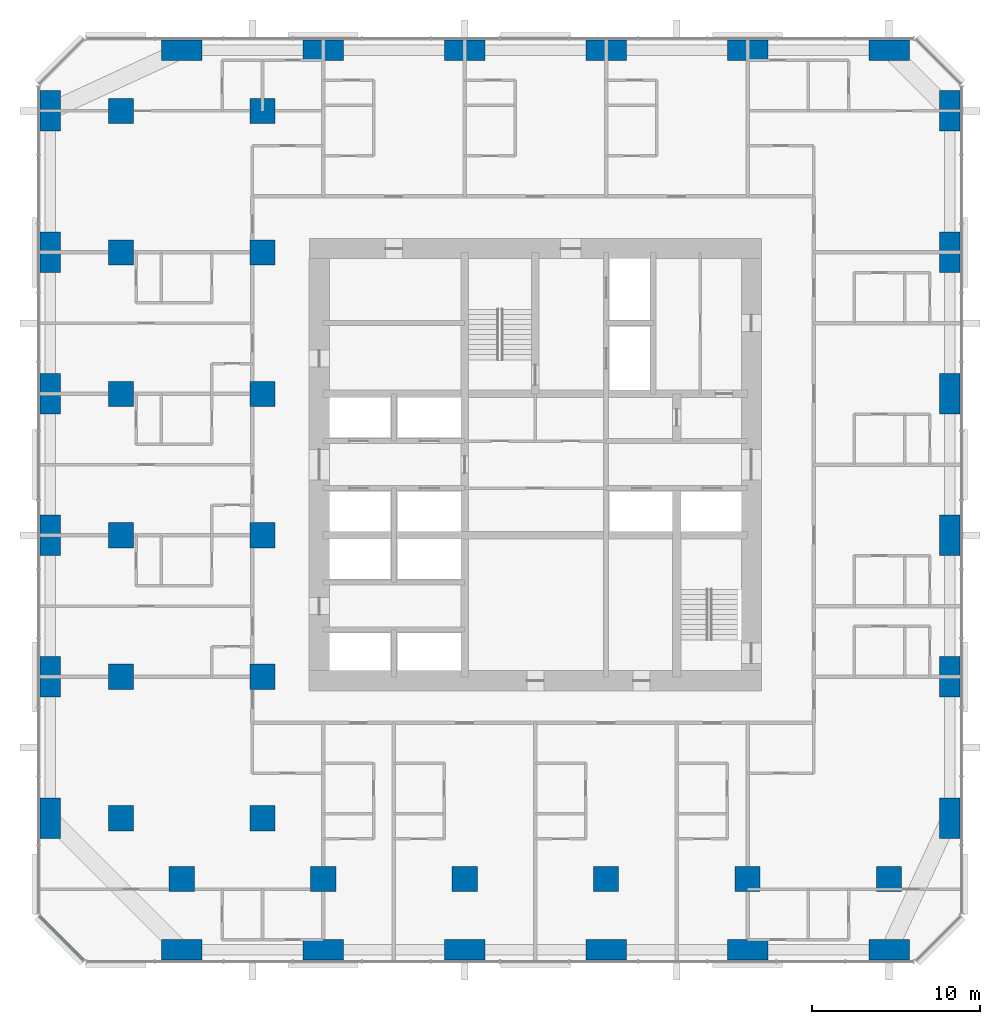
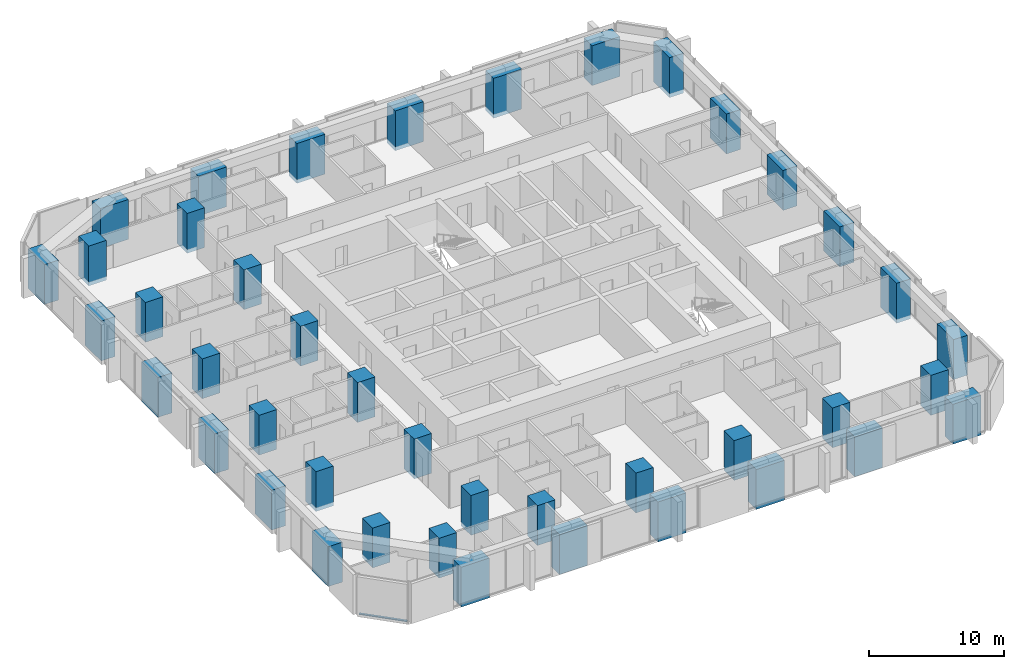
# One storey, part 1 of 14: 42 columns, 1 member, 1 element without a shape of its own.
"""IFC4 building model written with IfcOpenShell, lengths in metres."""

import ifcopenshell
import ifcopenshell.guid

model = None  # the IFC model being written
_history = None  # IfcOwnerHistory: only IFC2X3 demands one
_inside = {}  # id of a spatial element -> (the spatial element, [elements in it])
_under = {}  # id of a project, library or spatial element -> (it, [spatial elements below it])
_declared = {}  # id of a project -> (the project, [libraries it declares])
_typed = {}  # id of a type object -> (the type object, [elements of that type])
_made_of = {}  # id of a material, layer set ... -> (it, [elements and type objects made of it])


def new_model(schema):
    """Start an empty IFC model of exactly this schema.

    Asked for "IFC4X3", IfcOpenShell would pick the latest addendum, in which some entities
    have other attributes; the version numbers below select the first issue.
    IFC2X3 requires an IfcOwnerHistory on every rooted entity: one is made here for all.
    """
    global model, _history
    if schema == "IFC4X3":
        model = ifcopenshell.file(schema_version=(4, 3, 0, 0))
    else:
        model = ifcopenshell.file(schema=schema)
    _inside.clear()
    _under.clear()
    _declared.clear()
    _typed.clear()
    _made_of.clear()
    _history = None
    if model.schema == "IFC2X3":
        org = make("IfcOrganization", Name="unknown")
        user = make(
            "IfcPersonAndOrganization",
            ThePerson=make("IfcPerson", FamilyName="unknown"),
            TheOrganization=org,
        )
        app = make(
            "IfcApplication",
            ApplicationDeveloper=org,
            Version="unknown",
            ApplicationFullName="unknown",
            ApplicationIdentifier="unknown",
        )
        _history = make(
            "IfcOwnerHistory",
            OwningUser=user,
            OwningApplication=app,
            ChangeAction="ADDED",
            CreationDate=0,
        )
    return model


def make(cls, **values):
    """One entity of the class cls with the attributes given. An attribute that is None is left unset."""
    return model.create_entity(
        cls, **{name: value for name, value in values.items() if value is not None}
    )


def rooted(cls, **values):
    """An entity with a GlobalId (a new one), such as an element, a storey or a relation."""
    return make(cls, GlobalId=ifcopenshell.guid.new(), OwnerHistory=_history, **values)


def si_unit(unit_type, name, prefix=None):
    """IfcSIUnit, for example si_unit("LENGTHUNIT", "METRE", prefix="MILLI")."""
    return make("IfcSIUnit", UnitType=unit_type, Prefix=prefix, Name=name)


def assignment(units):
    """IfcUnitAssignment: the units of a project."""
    return None if units is None else make("IfcUnitAssignment", Units=units)


def point(xyz):
    """IfcCartesianPoint."""
    return None if xyz is None else make("IfcCartesianPoint", Coordinates=xyz)


def direction(xyz):
    """IfcDirection."""
    return None if xyz is None else make("IfcDirection", DirectionRatios=xyz)


def frame(location, z_axis=None, x_axis=None):
    """IfcAxis2Placement3D, a coordinate frame: its origin and axes. An axis left out is left unset."""
    return make(
        "IfcAxis2Placement3D",
        Location=point(location),
        Axis=direction(z_axis),
        RefDirection=direction(x_axis),
    )


def frame_2d(location, x_axis=None):
    """IfcAxis2Placement2D, a coordinate frame in the plane: its origin and x axis."""
    return make(
        "IfcAxis2Placement2D", Location=point(location), RefDirection=direction(x_axis)
    )


def origin():
    """The frame at (0, 0, 0) with its axes left unset."""
    return frame((0.0, 0.0, 0.0))


def origin_2d():
    """The frame at (0, 0) in the plane with its x axis left unset."""
    return frame_2d((0.0, 0.0))


def place(relative_to, where):
    """IfcLocalPlacement: puts the frame where relative to a parent placement (None: the world)."""
    return make(
        "IfcLocalPlacement", PlacementRelTo=relative_to, RelativePlacement=where
    )


def context(
    kind, dimensions, precision=None, world=None, true_north=None, identifier=None
):
    """IfcGeometricRepresentationContext, for example the 3D "Model" context."""
    return make(
        "IfcGeometricRepresentationContext",
        ContextIdentifier=identifier,
        ContextType=kind,
        CoordinateSpaceDimension=dimensions,
        Precision=precision,
        WorldCoordinateSystem=world,
        TrueNorth=true_north,
    )


def subcontext(parent, identifier, kind, view, scale=None):
    """IfcGeometricRepresentationSubContext, for example "Body" below "Model"."""
    return make(
        "IfcGeometricRepresentationSubContext",
        ContextIdentifier=identifier,
        ContextType=kind,
        ParentContext=parent,
        TargetScale=scale,
        TargetView=view,
    )


def project(units=None, contexts=None):
    """IfcProject with its units and contexts."""
    return rooted(
        "IfcProject",
        Name="project",
        RepresentationContexts=contexts,
        UnitsInContext=assignment(units),
    )


def spatial(cls, under=None, at=None, **own):
    """A site, building, storey or space (cls), placed at a placement, below another one or the project."""
    s = rooted(cls, ObjectPlacement=at, **own)
    if under is not None:
        _under.setdefault(under.id(), (under, []))[1].append(s)
    return s


def profile(cls, at=None, kind="AREA", **sizes):
    """A parametric profile (cls). Its sizes go by their IFC names, for example OverallWidth=200.0."""
    return make(cls, ProfileType=kind, Position=at, **sizes)


def rectangle(**sizes):
    """IfcRectangleProfileDef."""
    return profile("IfcRectangleProfileDef", **sizes)


def extrude(swept, where, along, depth):
    """IfcExtrudedAreaSolid: the profile swept, set in the frame where, extruded along a direction by depth."""
    return make(
        "IfcExtrudedAreaSolid",
        SweptArea=swept,
        Position=where,
        ExtrudedDirection=direction(along),
        Depth=depth,
    )


def shape(context_of_items, identifier, shape_type, items):
    """IfcShapeRepresentation: the items that make up one representation, for example the "Body"."""
    return make(
        "IfcShapeRepresentation",
        ContextOfItems=context_of_items,
        RepresentationIdentifier=identifier,
        RepresentationType=shape_type,
        Items=items,
    )


def material(Name=None, Category=None):
    """IfcMaterial."""
    return make("IfcMaterial", Name=Name, Category=Category)


def material_profile(
    of_material, cross_section, Name=None, Category=None, Priority=None
):
    """IfcMaterialProfile: a cross section and its material."""
    return make(
        "IfcMaterialProfile",
        Name=Name,
        Material=of_material,
        Profile=cross_section,
        Priority=Priority,
        Category=Category,
    )


def profile_set(profiles, Name=None, composite=None):
    """IfcMaterialProfileSet."""
    return make(
        "IfcMaterialProfileSet",
        Name=Name,
        MaterialProfiles=profiles,
        CompositeProfile=composite,
    )


def made_of(thing, what):
    """Note that an element or type object is made of a material, layer set ...; save() writes the relation."""
    if what is not None:
        _made_of.setdefault(what.id(), (what, []))[1].append(thing)
    return thing


def type_object(cls, material=None, **own):
    """A type object (cls), such as IfcWallType, which elements share."""
    return made_of(rooted(cls, **own), material)


def element(
    cls,
    number,
    at=None,
    inside=None,
    cuts=None,
    type_object=None,
    material=None,
    context=None,
    identifier="Body",
    shape_type=None,
    held_by="IfcProductDefinitionShape",
    body=None,
    shapes=None,
    **own,
):
    """One element of the class cls, such as IfcWall. Its Tag is "e" and its number.

    at: its placement. inside: the storey or other place that contains it. cuts: it is an
    opening in that element (IfcRelVoidsElement). A single representation is given by context,
    identifier, shape_type and body (its items); several are given by shapes. held_by: the class
    of the entity that holds the representations. save() writes the other relations.
    """
    e = rooted(cls, Tag="e%d" % number, ObjectPlacement=at, **own)
    if body is not None:
        shapes = [shape(context, identifier, shape_type, body)]
    if shapes is not None:
        e.Representation = make(held_by, Representations=shapes)
    if inside is not None:
        _inside.setdefault(inside.id(), (inside, []))[1].append(e)
    if cuts is not None:
        rooted(
            "IfcRelVoidsElement", RelatingBuildingElement=cuts, RelatedOpeningElement=e
        )
    if type_object is not None:
        _typed.setdefault(type_object.id(), (type_object, []))[1].append(e)
    return made_of(e, material)


def aggregate(whole, parts):
    """IfcRelAggregates: a whole, such as a stair, and the parts it consists of."""
    return rooted("IfcRelAggregates", RelatingObject=whole, RelatedObjects=parts)


def save(model, path):
    """Write the relations noted so far, then the file.

    IfcRelAggregates (storeys below a building ...), IfcRelContainedInSpatialStructure (elements
    in a storey), IfcRelDefinesByType, IfcRelAssociatesMaterial and IfcRelDeclares: one each for
    every whole, place, type object, material and project.
    """
    for whole, parts in _under.values():
        aggregate(whole, parts)
    for where, things in _inside.values():
        rooted(
            "IfcRelContainedInSpatialStructure",
            RelatedElements=things,
            RelatingStructure=where,
        )
    for kind, things in _typed.values():
        rooted("IfcRelDefinesByType", RelatedObjects=things, RelatingType=kind)
    for what, things in _made_of.values():
        rooted("IfcRelAssociatesMaterial", RelatedObjects=things, RelatingMaterial=what)
    for by, libraries in _declared.values():
        rooted("IfcRelDeclares", RelatingContext=by, RelatedDefinitions=libraries)
    model.write(path)


model = new_model("IFC4")

# Units and contexts
model_context = context("Model", 3, precision=1e-05, world=origin(), true_north=direction((0.0, 1.0)))
body_context = subcontext(model_context, "Body", "Model", "MODEL_VIEW")
ifc_project = project(units=[si_unit("LENGTHUNIT", "METRE"), si_unit("AREAUNIT", "SQUARE_METRE"), si_unit("VOLUMEUNIT", "CUBIC_METRE"), si_unit("PLANEANGLEUNIT", "RADIAN"), si_unit("MASSUNIT", "GRAM", prefix="KILO")], contexts=[model_context])

# Site, building, storey
site_placement = place(None, origin())
site = spatial("IfcSite", under=ifc_project, at=site_placement, CompositionType="ELEMENT")
building_placement = place(site_placement, origin())
building = spatial("IfcBuilding", under=site, at=building_placement, Name="Dunama Terrace Hotel", CompositionType="ELEMENT")
storey_placement = place(building_placement, frame((0.0, 0.0, 104.39990234375)))
storey = spatial("IfcBuildingStorey", under=building, at=storey_placement, Name="L26", CompositionType="ELEMENT", Elevation=104.39990234375)

# Columns
ifc_material_1 = material(Name="Concrete C60/75", Category="concrete")
ifc_material_profile_1 = material_profile(ifc_material_1, rectangle(XDim=1.199951171875, YDim=2.39990234375, at=origin_2d()), Name="RC 1200x2400")
ifc_profile_set_1 = profile_set([ifc_material_profile_1], Name="Concrete C60/75")
column_type_1 = type_object("IfcColumnType", Name="Column RC 1200x2400", PredefinedType="COLUMN", material=ifc_profile_set_1)
for number, where, z_axis, x_axis, name in (
    (1, (0.60009765625, 8.39990234375, -0.349853515625), (0.0, 0.0, 1.0), (1.0, 0.0, 0.0), "Column L26 +0.6/+8.4"),
    (2, (0.60009765625, 16.800048828125, -0.349853515625), (0.0, 0.0, 1.0), (1.0, 0.0, 0.0), "Column L26 +0.6/+16.8"),
    (3, (0.60009765625, 25.199951171875, -0.349853515625), (0.0, 0.0, 1.0), (1.0, 0.0, 0.0), "Column L26 +0.6/+25.2"),
    (4, (0.60009765625, 33.60009765625, -0.349853515625), (0.0, 0.0, 1.0), (1.0, 0.0, 0.0), "Column L26 +0.6/+33.6"),
    (5, (0.60009765625, 42.0, -0.349853515625), (0.0, 0.0, 1.0), (1.0, 0.0, 0.0), "Column L26 +0.6/+42.0"),
    (6, (0.60009765625, 50.39990234375, -0.349853515625), (0.0, 0.0, 1.0), (1.0, 0.0, 0.0), "Column L26 +0.6/+50.4"),
    (7, (54.0, 8.39990234375, -0.349853515625), (0.0, 0.0, 1.0), (1.0, 0.0, 0.0), "Column L26 +54.0/+8.4"),
    (8, (54.0, 16.800048828125, -0.349853515625), (0.0, 0.0, 1.0), (1.0, 0.0, 0.0), "Column L26 +54.0/+16.8"),
    (9, (54.0, 25.199951171875, -0.349853515625), (0.0, 0.0, 1.0), (1.0, 0.0, 0.0), "Column L26 +54.0/+25.2"),
    (10, (54.0, 33.60009765625, -0.349853515625), (0.0, 0.0, 1.0), (1.0, 0.0, 0.0), "Column L26 +54.0/+33.6"),
    (11, (54.0, 42.0, -0.349853515625), (0.0, 0.0, 1.0), (1.0, 0.0, 0.0), "Column L26 +54.0/+42.0"),
    (12, (54.0, 50.39990234375, -0.349853515625), (0.0, 0.0, 1.0), (1.0, 0.0, 0.0), "Column L26 +54.0/+50.4"),
):
    element("IfcColumn", number, at=place(storey_placement, frame(where, z_axis=z_axis, x_axis=x_axis)), inside=storey, type_object=column_type_1, Name=name, PredefinedType="COLUMN", context=body_context, shape_type="SweptSolid", body=[
        extrude(rectangle(XDim=1.199951171875, YDim=2.39990234375, at=origin_2d()), origin(), (0.0, 0.0, 1.0), 3.599853515625),
    ])
ifc_material_2 = material(Name="Concrete C60/75", Category="concrete")
ifc_material_profile_2 = material_profile(ifc_material_2, rectangle(XDim=1.5, YDim=1.5, at=origin_2d()), Name="RC 1500x1500")
ifc_profile_set_2 = profile_set([ifc_material_profile_2], Name="Concrete C60/75")
column_type_2 = type_object("IfcColumnType", Name="Column RC 1500x1500", PredefinedType="COLUMN", material=ifc_profile_set_2)
for number, where, z_axis, x_axis, name in (
    (13, (4.800048828125, 8.39990234375, -0.349853515625), (0.0, 0.0, 1.0), (1.0, 0.0, 0.0), "Column L26 +4.8/+8.4"),
    (14, (4.800048828125, 16.800048828125, -0.349853515625), (0.0, 0.0, 1.0), (1.0, 0.0, 0.0), "Column L26 +4.8/+16.8"),
    (15, (4.800048828125, 25.199951171875, -0.349853515625), (0.0, 0.0, 1.0), (1.0, 0.0, 0.0), "Column L26 +4.8/+25.2"),
    (16, (4.800048828125, 33.60009765625, -0.349853515625), (0.0, 0.0, 1.0), (1.0, 0.0, 0.0), "Column L26 +4.8/+33.6"),
    (17, (4.800048828125, 42.0, -0.349853515625), (0.0, 0.0, 1.0), (1.0, 0.0, 0.0), "Column L26 +4.8/+42.0"),
    (18, (4.800048828125, 50.39990234375, -0.349853515625), (0.0, 0.0, 1.0), (1.0, 0.0, 0.0), "Column L26 +4.8/+50.4"),
    (19, (8.39990234375, 4.800048828125, -0.349853515625), (0.0, 0.0, 1.0), (1.0, 0.0, 0.0), "Column L26 +8.4/+4.8"),
    (20, (13.199951171875, 8.39990234375, -0.349853515625), (0.0, 0.0, 1.0), (1.0, 0.0, 0.0), "Column L26 +13.2/+8.4"),
    (21, (13.199951171875, 16.800048828125, -0.349853515625), (0.0, 0.0, 1.0), (1.0, 0.0, 0.0), "Column L26 +13.2/+16.8"),
    (22, (13.199951171875, 25.199951171875, -0.349853515625), (0.0, 0.0, 1.0), (1.0, 0.0, 0.0), "Column L26 +13.2/+25.2"),
    (23, (13.199951171875, 33.60009765625, -0.349853515625), (0.0, 0.0, 1.0), (1.0, 0.0, 0.0), "Column L26 +13.2/+33.6"),
    (24, (13.199951171875, 42.0, -0.349853515625), (0.0, 0.0, 1.0), (1.0, 0.0, 0.0), "Column L26 +13.2/+42.0"),
    (25, (13.199951171875, 50.39990234375, -0.349853515625), (0.0, 0.0, 1.0), (1.0, 0.0, 0.0), "Column L26 +13.2/+50.4"),
    (26, (16.800048828125, 4.800048828125, -0.349853515625), (0.0, 0.0, 1.0), (1.0, 0.0, 0.0), "Column L26 +16.8/+4.8"),
    (27, (25.199951171875, 4.800048828125, -0.349853515625), (0.0, 0.0, 1.0), (1.0, 0.0, 0.0), "Column L26 +25.2/+4.8"),
    (28, (33.60009765625, 4.800048828125, -0.349853515625), (0.0, 0.0, 1.0), (1.0, 0.0, 0.0), "Column L26 +33.6/+4.8"),
    (29, (42.0, 4.800048828125, -0.349853515625), (0.0, 0.0, 1.0), (1.0, 0.0, 0.0), "Column L26 +42.0/+4.8"),
    (30, (50.39990234375, 4.800048828125, -0.349853515625), (0.0, 0.0, 1.0), (1.0, 0.0, 0.0), "Column L26 +50.4/+4.8"),
):
    element("IfcColumn", number, at=place(storey_placement, frame(where, z_axis=z_axis, x_axis=x_axis)), inside=storey, type_object=column_type_2, Name=name, PredefinedType="COLUMN", context=body_context, shape_type="SweptSolid", body=[
        extrude(rectangle(XDim=1.5, YDim=1.5, at=origin_2d()), origin(), (0.0, 0.0, 1.0), 3.599853515625),
    ])
ifc_material_3 = material(Name="Concrete C60/75", Category="concrete")
ifc_material_profile_3 = material_profile(ifc_material_3, rectangle(XDim=2.39990234375, YDim=1.199951171875, at=origin_2d()), Name="RC 2400x1200")
ifc_profile_set_3 = profile_set([ifc_material_profile_3], Name="Concrete C60/75")
column_type_3 = type_object("IfcColumnType", Name="Column RC 2400x1200", PredefinedType="COLUMN", material=ifc_profile_set_3)
for number, where, z_axis, x_axis, name in (
    (31, (8.39990234375, 0.60009765625, -0.349853515625), (0.0, 0.0, 1.0), (1.0, 0.0, 0.0), "Column L26 +8.4/+0.6"),
    (32, (8.39990234375, 54.0, -0.349853515625), (0.0, 0.0, 1.0), (1.0, 0.0, 0.0), "Column L26 +8.4/+54.0"),
    (33, (16.800048828125, 0.60009765625, -0.349853515625), (0.0, 0.0, 1.0), (1.0, 0.0, 0.0), "Column L26 +16.8/+0.6"),
    (34, (16.800048828125, 54.0, -0.349853515625), (0.0, 0.0, 1.0), (1.0, 0.0, 0.0), "Column L26 +16.8/+54.0"),
    (35, (25.199951171875, 0.60009765625, -0.349853515625), (0.0, 0.0, 1.0), (1.0, 0.0, 0.0), "Column L26 +25.2/+0.6"),
    (36, (25.199951171875, 54.0, -0.349853515625), (0.0, 0.0, 1.0), (1.0, 0.0, 0.0), "Column L26 +25.2/+54.0"),
    (37, (33.60009765625, 0.60009765625, -0.349853515625), (0.0, 0.0, 1.0), (1.0, 0.0, 0.0), "Column L26 +33.6/+0.6"),
    (38, (33.60009765625, 54.0, -0.349853515625), (0.0, 0.0, 1.0), (1.0, 0.0, 0.0), "Column L26 +33.6/+54.0"),
    (39, (42.0, 0.60009765625, -0.349853515625), (0.0, 0.0, 1.0), (1.0, 0.0, 0.0), "Column L26 +42.0/+0.6"),
    (40, (42.0, 54.0, -0.349853515625), (0.0, 0.0, 1.0), (1.0, 0.0, 0.0), "Column L26 +42.0/+54.0"),
    (41, (50.39990234375, 0.60009765625, -0.349853515625), (0.0, 0.0, 1.0), (1.0, 0.0, 0.0), "Column L26 +50.4/+0.6"),
    (42, (50.39990234375, 54.0, -0.349853515625), (0.0, 0.0, 1.0), (1.0, 0.0, 0.0), "Column L26 +50.4/+54.0"),
):
    element("IfcColumn", number, at=place(storey_placement, frame(where, z_axis=z_axis, x_axis=x_axis)), inside=storey, type_object=column_type_3, Name=name, PredefinedType="COLUMN", context=body_context, shape_type="SweptSolid", body=[
        extrude(rectangle(XDim=2.39990234375, YDim=1.199951171875, at=origin_2d()), origin(), (0.0, 0.0, 1.0), 3.599853515625),
    ])

# Curtain wall, member
ifc_material_4 = material(Name="Aluminium curtain wall system", Category="aluminium")
curtain_wall_type = type_object("IfcCurtainWallType", Name="Unitised fritted glass wall CW-B", PredefinedType="NOTDEFINED", material=ifc_material_4)
curtain_wall_placement = place(storey_placement, origin())
curtain_wall = element("IfcCurtainWall", 43, at=curtain_wall_placement, inside=storey, type_object=curtain_wall_type, Name="Unitised fritted glass wall CW-B L26", PredefinedType="NOTDEFINED")
ifc_material_5 = material(Name="Aluminium transom", Category="aluminium")
ifc_material_profile_4 = material_profile(ifc_material_5, rectangle(XDim=0.179931640625, YDim=0.080078125, at=origin_2d()), Name="CWB TRANSOM 180X80")
ifc_profile_set_4 = profile_set([ifc_material_profile_4], Name="Aluminium transom")
member_type = type_object("IfcMemberType", Name="CWB transom 180x80", PredefinedType="USERDEFINED", material=ifc_profile_set_4)
member_placement = place(storey_placement, frame((-0.031982421875, 2.575927734375, 0.0400390625), z_axis=(0.707106781187, -0.707106781187, 0.0), x_axis=(0.707106781187, 0.707106781187, 0.0)))
member = element("IfcMember", 44, at=member_placement, type_object=member_type, Name="CWB transom", ObjectType="TRANSOM", PredefinedType="USERDEFINED", context=body_context, shape_type="SweptSolid", body=[
    extrude(rectangle(XDim=0.179931640625, YDim=0.080078125, at=origin_2d()), origin(), (0.0, 0.0, 1.0), 3.688232421875),
])
aggregate(curtain_wall, [member])

save(model, "model.ifc")
